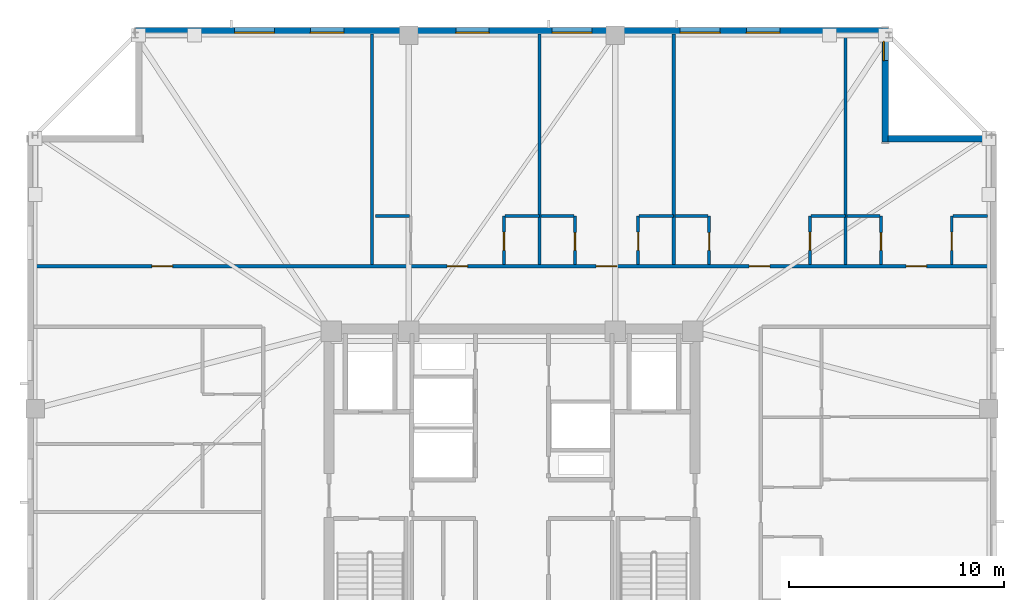
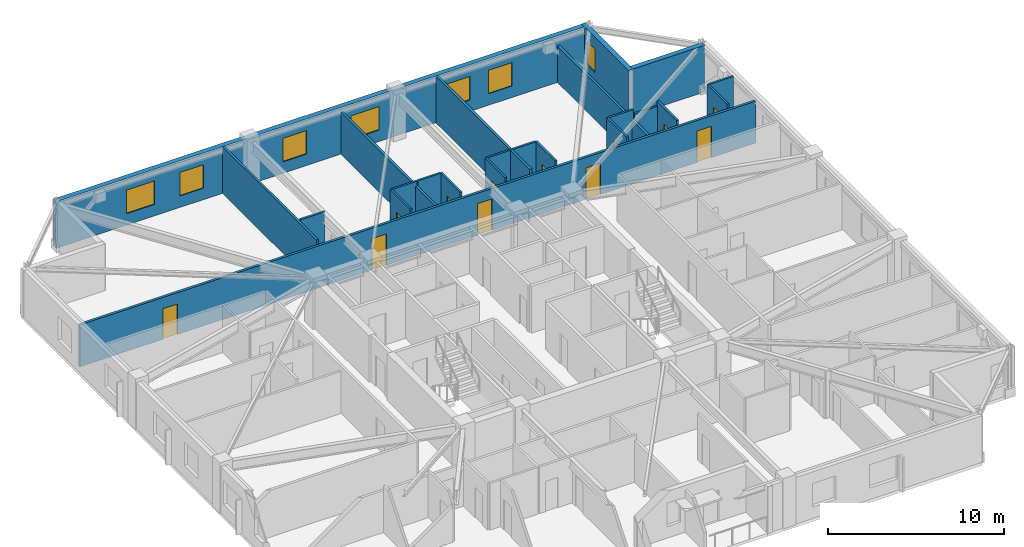
# One storey, part 11 of 17: 23 walls, 12 doors, 7 windows, 19 openings.
"""IFC4 building model written with IfcOpenShell, lengths in metres."""

from ifc_helpers import new_model, si_unit, direction, frame, frame_2d, origin, place, context, subcontext, project, spatial, rectangle, extrude, material, layer, layer_set, type_object, element, fill, save


model = new_model("IFC4")

# Units and contexts
model_context = context("Model", 3, precision=1e-05, world=origin(), true_north=direction((0.0, 1.0)))
body_context = subcontext(model_context, "Body", "Model", "MODEL_VIEW")
ifc_project = project(units=[si_unit("LENGTHUNIT", "METRE"), si_unit("AREAUNIT", "SQUARE_METRE"), si_unit("VOLUMEUNIT", "CUBIC_METRE"), si_unit("PLANEANGLEUNIT", "RADIAN"), si_unit("MASSUNIT", "GRAM", prefix="KILO")], contexts=[model_context])

# Site, building, storey
site_placement = place(None, origin())
site = spatial("IfcSite", under=ifc_project, at=site_placement, CompositionType="ELEMENT")
building_placement = place(site_placement, origin())
building = spatial("IfcBuilding", under=site, at=building_placement, Name="Cairnveth Concourse Tower", CompositionType="ELEMENT")
storey_placement = place(building_placement, frame((0.0, 0.0, 272.5)))
storey = spatial("IfcBuildingStorey", under=building, at=storey_placement, Name="L75", CompositionType="ELEMENT", Elevation=272.5)

# Wall, openings, doors
ifc_material_1 = material(Name="Gypsum Plasterboard Partition", Category="gypsum")
ifc_layer_1 = layer(ifc_material_1, 0.159912109375)
ifc_layer_set_1 = layer_set([ifc_layer_1], Name="Gypsum Plasterboard Partition")
wall_type_1 = type_object("IfcWallType", Name="ACOUSTIC PARTY WALL 180", PredefinedType="PARTITIONING", material=ifc_layer_set_1)
wall_1_placement = place(storey_placement, frame((29.804931640625, 50.422607421875, 0.0), z_axis=(0.0, 0.0, 1.0), x_axis=(1.0, 0.0, 0.0)))
wall_1 = element("IfcWall", 1, at=wall_1_placement, inside=storey, type_object=wall_type_1, Name="Interior Wall IW-L75-036", PredefinedType="PARTITIONING", context=body_context, shape_type="SweptSolid", body=[
    extrude(rectangle(XDim=44.39013671875, YDim=0.159912109375, at=frame_2d((22.195068359375, 0.0))), origin(), (0.0, 0.0, 1.0), 2.907958984375),
])
opening_1_placement = place(wall_1_placement, frame((5.465087890625, 0.0, 0.0)))
opening_1 = element("IfcOpeningElement", 2, at=opening_1_placement, cuts=wall_1, Name="Opening ID11", PredefinedType="OPENING", context=body_context, shape_type="SweptSolid", body=[
    extrude(rectangle(XDim=0.9599609375, YDim=2.1201171875, at=frame_2d((0.47998046875, 1.06005859375))), frame((0.0, 0.08984375, 0.0), z_axis=(0.0, -1.0, 0.0), x_axis=(1.0, 0.0, 0.0)), (0.0, 0.0, 1.0), 0.179931640625),
])
opening_2_placement = place(wall_1_placement, frame((19.1787109375, 0.0, 0.0)))
opening_2 = element("IfcOpeningElement", 3, at=opening_2_placement, cuts=wall_1, Name="Opening ID10", PredefinedType="OPENING", context=body_context, shape_type="SweptSolid", body=[
    extrude(rectangle(XDim=0.9599609375, YDim=2.179931640625, at=frame_2d((0.47998046875, 1.08984375))), frame((0.0, 0.08984375, 0.0), z_axis=(0.0, -1.0, 0.0), x_axis=(1.0, 0.0, 0.0)), (0.0, 0.0, 1.0), 0.179931640625),
])
opening_3_placement = place(wall_1_placement, frame((26.106201171875, 0.0, 0.0)))
opening_3 = element("IfcOpeningElement", 4, at=opening_3_placement, cuts=wall_1, Name="Opening ID10", PredefinedType="OPENING", context=body_context, shape_type="SweptSolid", body=[
    extrude(rectangle(XDim=0.9599609375, YDim=2.179931640625, at=frame_2d((0.47998046875, 1.08984375))), frame((0.0, 0.08984375, 0.0), z_axis=(0.0, -1.0, 0.0), x_axis=(1.0, 0.0, 0.0)), (0.0, 0.0, 1.0), 0.179931640625),
])
opening_4_placement = place(wall_1_placement, frame((33.2138671875, 0.0, 0.0)))
opening_4 = element("IfcOpeningElement", 5, at=opening_4_placement, cuts=wall_1, Name="Opening ID10", PredefinedType="OPENING", context=body_context, shape_type="SweptSolid", body=[
    extrude(rectangle(XDim=0.9599609375, YDim=2.179931640625, at=frame_2d((0.47998046875, 1.08984375))), frame((0.0, 0.08984375, 0.0), z_axis=(0.0, -1.0, 0.0), x_axis=(1.0, 0.0, 0.0)), (0.0, 0.0, 1.0), 0.179931640625),
])
opening_5_placement = place(wall_1_placement, frame((40.501220703125, 0.0, 0.0)))
opening_5 = element("IfcOpeningElement", 6, at=opening_5_placement, cuts=wall_1, Name="Opening ID10", PredefinedType="OPENING", context=body_context, shape_type="SweptSolid", body=[
    extrude(rectangle(XDim=0.9599609375, YDim=2.179931640625, at=frame_2d((0.47998046875, 1.08984375))), frame((0.0, 0.08984375, 0.0), z_axis=(0.0, -1.0, 0.0), x_axis=(1.0, 0.0, 0.0)), (0.0, 0.0, 1.0), 0.179931640625),
])
ifc_material_2 = material(Name="Solid Core Hardwood Timber Leaf", Category="wood")
door_type_1 = type_object("IfcDoorType", Name="FLAT ENTRANCE DOOR 960X2150", OperationType="NOTDEFINED", PredefinedType="DOOR", material=ifc_material_2)
door_1_placement = place(opening_2_placement, origin())
door_1 = element("IfcDoor", 7, at=door_1_placement, inside=storey, type_object=door_type_1, Name="Studio L75STN1 Entrance Door", OperationType="SINGLE_SWING_RIGHT", OverallHeight=2.179931640625, OverallWidth=0.9599609375, PredefinedType="DOOR", context=body_context, shape_type="SweptSolid", body=[
    extrude(rectangle(XDim=0.9599609375, YDim=2.179931640625, at=frame_2d((0.47998046875, 1.08984375))), frame((0.0, 0.02490234375, 0.0), z_axis=(0.0, -1.0, 0.0), x_axis=(1.0, 0.0, 0.0)), (0.0, 0.0, 1.0), 0.050048828125),
])
fill(opening_2, door_1)
door_2_placement = place(opening_3_placement, origin())
door_2 = element("IfcDoor", 8, at=door_2_placement, inside=storey, type_object=door_type_1, Name="Studio L75STN2 Entrance Door", OperationType="SINGLE_SWING_LEFT", OverallHeight=2.179931640625, OverallWidth=0.9599609375, PredefinedType="DOOR", context=body_context, shape_type="SweptSolid", body=[
    extrude(rectangle(XDim=0.9599609375, YDim=2.179931640625, at=frame_2d((0.47998046875, 1.08984375))), frame((0.0, 0.02490234375, 0.0), z_axis=(0.0, -1.0, 0.0), x_axis=(1.0, 0.0, 0.0)), (0.0, 0.0, 1.0), 0.050048828125),
])
fill(opening_3, door_2)
door_3_placement = place(opening_4_placement, origin())
door_3 = element("IfcDoor", 9, at=door_3_placement, inside=storey, type_object=door_type_1, Name="Studio L75STN3 Entrance Door", OperationType="SINGLE_SWING_RIGHT", OverallHeight=2.179931640625, OverallWidth=0.9599609375, PredefinedType="DOOR", context=body_context, shape_type="SweptSolid", body=[
    extrude(rectangle(XDim=0.9599609375, YDim=2.179931640625, at=frame_2d((0.47998046875, 1.08984375))), frame((0.0, 0.02490234375, 0.0), z_axis=(0.0, -1.0, 0.0), x_axis=(1.0, 0.0, 0.0)), (0.0, 0.0, 1.0), 0.050048828125),
])
fill(opening_4, door_3)
door_4_placement = place(opening_5_placement, origin())
door_4 = element("IfcDoor", 10, at=door_4_placement, inside=storey, type_object=door_type_1, Name="Studio L75STN4 Entrance Door", OperationType="SINGLE_SWING_LEFT", OverallHeight=2.179931640625, OverallWidth=0.9599609375, PredefinedType="DOOR", context=body_context, shape_type="SweptSolid", body=[
    extrude(rectangle(XDim=0.9599609375, YDim=2.179931640625, at=frame_2d((0.47998046875, 1.08984375))), frame((0.0, 0.02490234375, 0.0), z_axis=(0.0, -1.0, 0.0), x_axis=(1.0, 0.0, 0.0)), (0.0, 0.0, 1.0), 0.050048828125),
])
fill(opening_5, door_4)
door_type_2 = type_object("IfcDoorType", Name="INTERIOR SINGLE DOOR 960X2150", OperationType="NOTDEFINED", PredefinedType="DOOR", material=ifc_material_2)
door_5_placement = place(opening_1_placement, origin())
door_5 = element("IfcDoor", 11, at=door_5_placement, inside=storey, type_object=door_type_2, Name="Interior Door DR-L75-031", OperationType="SINGLE_SWING_LEFT", OverallHeight=2.1201171875, OverallWidth=0.9599609375, PredefinedType="DOOR", context=body_context, shape_type="SweptSolid", body=[
    extrude(rectangle(XDim=0.9599609375, YDim=2.1201171875, at=frame_2d((0.47998046875, 1.06005859375))), frame((0.0, 0.02490234375, 0.0), z_axis=(0.0, -1.0, 0.0), x_axis=(1.0, 0.0, 0.0)), (0.0, 0.0, 1.0), 0.050048828125),
])
fill(opening_1, door_5)

# Walls
wall_2_placement = place(storey_placement, frame((53.277587890625, 50.50244140625, 0.0), z_axis=(0.0, 0.0, 1.0), x_axis=(0.0, 1.0, 0.0)))
element("IfcWall", 12, at=wall_2_placement, inside=storey, type_object=wall_type_1, Name="Interior Wall IW-L75-070", PredefinedType="PARTITIONING", context=body_context, shape_type="SweptSolid", body=[
    extrude(rectangle(XDim=10.692626953125, YDim=0.159912109375, at=frame_2d((5.34619140625, 0.0))), origin(), (0.0, 0.0, 1.0), 2.907958984375),
])
wall_3_placement = place(storey_placement, frame((59.5048828125, 50.50244140625, 0.0), z_axis=(0.0, 0.0, 1.0), x_axis=(0.0, 1.0, 0.0)))
element("IfcWall", 13, at=wall_3_placement, inside=storey, type_object=wall_type_1, Name="Interior Wall IW-L75-075", PredefinedType="PARTITIONING", context=body_context, shape_type="SweptSolid", body=[
    extrude(rectangle(XDim=10.692626953125, YDim=0.159912109375, at=frame_2d((5.34619140625, 0.0))), origin(), (0.0, 0.0, 1.0), 3.239990234375),
])
wall_4_placement = place(storey_placement, frame((67.492431640625, 50.50244140625, 0.0), z_axis=(0.0, 0.0, 1.0), x_axis=(0.0, 1.0, 0.0)))
element("IfcWall", 14, at=wall_4_placement, inside=storey, type_object=wall_type_1, Name="Interior Wall IW-L75-080", PredefinedType="PARTITIONING", context=body_context, shape_type="SweptSolid", body=[
    extrude(rectangle(XDim=10.692626953125, YDim=0.159912109375, at=frame_2d((5.34619140625, 0.0))), origin(), (0.0, 0.0, 1.0), 2.52294921875),
])
ifc_layer_2 = layer(ifc_material_1, 0.139892578125)
ifc_layer_set_2 = layer_set([ifc_layer_2], Name="Gypsum Plasterboard Partition")
wall_type_2 = type_object("IfcWallType", Name="GYPSUM STUD PARTITION 140", PredefinedType="PARTITIONING", material=ifc_layer_set_2)
wall_5_placement = place(storey_placement, frame((45.5, 50.487548828125, 0.0), z_axis=(0.0, 0.0, 1.0), x_axis=(0.0, 1.0, 0.0)))
element("IfcWall", 15, at=wall_5_placement, inside=storey, type_object=wall_type_2, Name="Interior Wall IW-L75-065", PredefinedType="PARTITIONING", context=body_context, shape_type="SweptSolid", body=[
    extrude(rectangle(XDim=10.70751953125, YDim=0.139892578125, at=frame_2d((5.353759765625, 0.0))), origin(), (0.0, 0.0, 1.0), 3.239990234375),
])
ifc_layer_3 = layer(ifc_material_1, 0.1298828125)
ifc_layer_set_3 = layer_set([ifc_layer_3], Name="Gypsum Plasterboard Partition")
wall_type_3 = type_object("IfcWallType", Name="WET AREA PARTITION 140", PredefinedType="PLUMBINGWALL", material=ifc_layer_set_3)
wall_6_placement = place(storey_placement, frame((45.64990234375, 52.75244140625, 0.0), z_axis=(0.0, 0.0, 1.0), x_axis=(1.0, 0.0, 0.0)))
element("IfcWall", 16, at=wall_6_placement, inside=storey, type_object=wall_type_3, Name="Interior Wall IW-L75-067", PredefinedType="PLUMBINGWALL", context=body_context, shape_type="SweptSolid", body=[
    extrude(rectangle(XDim=1.60009765625, YDim=0.1298828125, at=frame_2d((0.800048828125, 0.0))), origin(), (0.0, 0.0, 1.0), 3.239990234375),
])

# Wall, opening, door
wall_7_placement = place(storey_placement, frame((51.62744140625, 50.50244140625, 0.0), z_axis=(0.0, 0.0, 1.0), x_axis=(0.0, 1.0, 0.0)))
wall_7 = element("IfcWall", 17, at=wall_7_placement, inside=storey, type_object=wall_type_3, Name="Interior Wall IW-L75-068", PredefinedType="PLUMBINGWALL", context=body_context, shape_type="SweptSolid", body=[
    extrude(rectangle(XDim=2.25, YDim=0.1298828125, at=frame_2d((1.125, 0.0))), origin(), (0.0, 0.0, 1.0), 3.239990234375),
])
opening_6_placement = place(wall_7_placement, frame((0.64990234375, 0.0, 0.0)))
opening_6 = element("IfcOpeningElement", 18, at=opening_6_placement, cuts=wall_7, Name="Opening ID20", PredefinedType="OPENING", context=body_context, shape_type="SweptSolid", body=[
    extrude(rectangle(XDim=0.85009765625, YDim=2.10009765625, at=frame_2d((0.425048828125, 1.050048828125))), frame((0.0, 0.074951171875, 0.0), z_axis=(0.0, -1.0, 0.0), x_axis=(1.0, 0.0, 0.0)), (0.0, 0.0, 1.0), 0.14990234375),
])
door_type_3 = type_object("IfcDoorType", Name="INTERIOR SINGLE DOOR 850X2100", OperationType="NOTDEFINED", PredefinedType="DOOR", material=ifc_material_2)
door_6_placement = place(opening_6_placement, origin())
door_6 = element("IfcDoor", 19, at=door_6_placement, inside=storey, type_object=door_type_3, Name="L75STN1 Kitchen Door", OperationType="SINGLE_SWING_LEFT", OverallHeight=2.10009765625, OverallWidth=0.85009765625, PredefinedType="DOOR", context=body_context, shape_type="SweptSolid", body=[
    extrude(rectangle(XDim=0.85009765625, YDim=2.10009765625, at=frame_2d((0.425048828125, 1.050048828125))), frame((0.0, 0.02490234375, 0.0), z_axis=(0.0, -1.0, 0.0), x_axis=(1.0, 0.0, 0.0)), (0.0, 0.0, 1.0), 0.050048828125),
])
fill(opening_6, door_6)

# Wall
wall_8_placement = place(storey_placement, frame((51.677490234375, 52.75244140625, 0.0), z_axis=(0.0, 0.0, 1.0), x_axis=(1.0, 0.0, 0.0)))
element("IfcWall", 20, at=wall_8_placement, inside=storey, type_object=wall_type_3, Name="Interior Wall IW-L75-069", PredefinedType="PLUMBINGWALL", context=body_context, shape_type="SweptSolid", body=[
    extrude(rectangle(XDim=1.60009765625, YDim=0.1298828125, at=frame_2d((0.800048828125, 0.0))), origin(), (0.0, 0.0, 1.0), 3.239990234375),
])

# Wall, opening, door
wall_9_placement = place(storey_placement, frame((54.927490234375, 50.50244140625, 0.0), z_axis=(0.0, 0.0, 1.0), x_axis=(0.0, 1.0, 0.0)))
wall_9 = element("IfcWall", 21, at=wall_9_placement, inside=storey, type_object=wall_type_3, Name="Interior Wall IW-L75-071", PredefinedType="PLUMBINGWALL", context=body_context, shape_type="SweptSolid", body=[
    extrude(rectangle(XDim=2.25, YDim=0.1298828125, at=frame_2d((1.125, 0.0))), origin(), (0.0, 0.0, 1.0), 3.239990234375),
])
opening_7_placement = place(wall_9_placement, frame((0.64990234375, 0.0, 0.0)))
opening_7 = element("IfcOpeningElement", 22, at=opening_7_placement, cuts=wall_9, Name="Opening ID22", PredefinedType="OPENING", context=body_context, shape_type="SweptSolid", body=[
    extrude(rectangle(XDim=0.820068359375, YDim=2.10009765625, at=frame_2d((0.41015625, 1.050048828125))), frame((0.0, 0.074951171875, 0.0), z_axis=(0.0, -1.0, 0.0), x_axis=(1.0, 0.0, 0.0)), (0.0, 0.0, 1.0), 0.14990234375),
])
door_type_4 = type_object("IfcDoorType", Name="INTERIOR WC DOOR 820X2100", OperationType="NOTDEFINED", PredefinedType="DOOR", material=ifc_material_2)
door_7_placement = place(opening_7_placement, origin())
door_7 = element("IfcDoor", 23, at=door_7_placement, inside=storey, type_object=door_type_4, Name="L75STN2 Bathroom Door", OperationType="SINGLE_SWING_LEFT", OverallHeight=2.10009765625, OverallWidth=0.820068359375, PredefinedType="DOOR", context=body_context, shape_type="SweptSolid", body=[
    extrude(rectangle(XDim=0.820068359375, YDim=2.10009765625, at=frame_2d((0.41015625, 1.050048828125))), frame((0.0, 0.02490234375, 0.0), z_axis=(0.0, -1.0, 0.0), x_axis=(1.0, 0.0, 0.0)), (0.0, 0.0, 1.0), 0.050048828125),
])
fill(opening_7, door_7)

# Wall
wall_10_placement = place(storey_placement, frame((53.342529296875, 52.75244140625, 0.0), z_axis=(0.0, 0.0, 1.0), x_axis=(1.0, 0.0, 0.0)))
element("IfcWall", 24, at=wall_10_placement, inside=storey, type_object=wall_type_3, Name="Interior Wall IW-L75-072", PredefinedType="PLUMBINGWALL", context=body_context, shape_type="SweptSolid", body=[
    extrude(rectangle(XDim=1.534912109375, YDim=0.1298828125, at=frame_2d((0.767578125, 0.0))), origin(), (0.0, 0.0, 1.0), 3.239990234375),
])

# Wall, opening, door
wall_11_placement = place(storey_placement, frame((57.85498046875, 50.50244140625, 0.0), z_axis=(0.0, 0.0, 1.0), x_axis=(0.0, 1.0, 0.0)))
wall_11 = element("IfcWall", 25, at=wall_11_placement, inside=storey, type_object=wall_type_3, Name="Interior Wall IW-L75-073", PredefinedType="PLUMBINGWALL", context=body_context, shape_type="SweptSolid", body=[
    extrude(rectangle(XDim=2.25, YDim=0.1298828125, at=frame_2d((1.125, 0.0))), origin(), (0.0, 0.0, 1.0), 3.239990234375),
])
opening_8_placement = place(wall_11_placement, frame((0.64990234375, 0.0, 0.0)))
opening_8 = element("IfcOpeningElement", 26, at=opening_8_placement, cuts=wall_11, Name="Opening ID20", PredefinedType="OPENING", context=body_context, shape_type="SweptSolid", body=[
    extrude(rectangle(XDim=0.85009765625, YDim=2.10009765625, at=frame_2d((0.425048828125, 1.050048828125))), frame((0.0, 0.074951171875, 0.0), z_axis=(0.0, -1.0, 0.0), x_axis=(1.0, 0.0, 0.0)), (0.0, 0.0, 1.0), 0.14990234375),
])
door_8_placement = place(opening_8_placement, origin())
door_8 = element("IfcDoor", 27, at=door_8_placement, inside=storey, type_object=door_type_3, Name="L75STN2 Kitchen Door", OperationType="SINGLE_SWING_RIGHT", OverallHeight=2.10009765625, OverallWidth=0.85009765625, PredefinedType="DOOR", context=body_context, shape_type="SweptSolid", body=[
    extrude(rectangle(XDim=0.85009765625, YDim=2.10009765625, at=frame_2d((0.425048828125, 1.050048828125))), frame((0.0, 0.02490234375, 0.0), z_axis=(0.0, -1.0, 0.0), x_axis=(1.0, 0.0, 0.0)), (0.0, 0.0, 1.0), 0.050048828125),
])
fill(opening_8, door_8)

# Wall
wall_12_placement = place(storey_placement, frame((57.905029296875, 52.75244140625, 0.0), z_axis=(0.0, 0.0, 1.0), x_axis=(1.0, 0.0, 0.0)))
element("IfcWall", 28, at=wall_12_placement, inside=storey, type_object=wall_type_3, Name="Interior Wall IW-L75-074", PredefinedType="PLUMBINGWALL", context=body_context, shape_type="SweptSolid", body=[
    extrude(rectangle(XDim=1.599853515625, YDim=0.1298828125, at=frame_2d((0.7998046875, 0.0))), origin(), (0.0, 0.0, 1.0), 3.239990234375),
])

# Wall, opening, door
wall_13_placement = place(storey_placement, frame((61.155029296875, 50.50244140625, 0.0), z_axis=(0.0, 0.0, 1.0), x_axis=(0.0, 1.0, 0.0)))
wall_13 = element("IfcWall", 29, at=wall_13_placement, inside=storey, type_object=wall_type_3, Name="Interior Wall IW-L75-076", PredefinedType="PLUMBINGWALL", context=body_context, shape_type="SweptSolid", body=[
    extrude(rectangle(XDim=2.25, YDim=0.1298828125, at=frame_2d((1.125, 0.0))), origin(), (0.0, 0.0, 1.0), 3.239990234375),
])
opening_9_placement = place(wall_13_placement, frame((0.64990234375, 0.0, 0.0)))
opening_9 = element("IfcOpeningElement", 30, at=opening_9_placement, cuts=wall_13, Name="Opening ID22", PredefinedType="OPENING", context=body_context, shape_type="SweptSolid", body=[
    extrude(rectangle(XDim=0.820068359375, YDim=2.10009765625, at=frame_2d((0.41015625, 1.050048828125))), frame((0.0, 0.074951171875, 0.0), z_axis=(0.0, -1.0, 0.0), x_axis=(1.0, 0.0, 0.0)), (0.0, 0.0, 1.0), 0.14990234375),
])
door_9_placement = place(opening_9_placement, origin())
door_9 = element("IfcDoor", 31, at=door_9_placement, inside=storey, type_object=door_type_4, Name="L75STN3 Bathroom Door", OperationType="SINGLE_SWING_RIGHT", OverallHeight=2.10009765625, OverallWidth=0.820068359375, PredefinedType="DOOR", context=body_context, shape_type="SweptSolid", body=[
    extrude(rectangle(XDim=0.820068359375, YDim=2.10009765625, at=frame_2d((0.41015625, 1.050048828125))), frame((0.0, 0.02490234375, 0.0), z_axis=(0.0, -1.0, 0.0), x_axis=(1.0, 0.0, 0.0)), (0.0, 0.0, 1.0), 0.050048828125),
])
fill(opening_9, door_9)

# Wall
wall_14_placement = place(storey_placement, frame((59.570068359375, 52.75244140625, 0.0), z_axis=(0.0, 0.0, 1.0), x_axis=(1.0, 0.0, 0.0)))
element("IfcWall", 32, at=wall_14_placement, inside=storey, type_object=wall_type_3, Name="Interior Wall IW-L75-077", PredefinedType="PLUMBINGWALL", context=body_context, shape_type="SweptSolid", body=[
    extrude(rectangle(XDim=1.534912109375, YDim=0.1298828125, at=frame_2d((0.767578125, 0.0))), origin(), (0.0, 0.0, 1.0), 3.239990234375),
])

# Wall, opening, door
wall_15_placement = place(storey_placement, frame((65.842529296875, 50.50244140625, 0.0), z_axis=(0.0, 0.0, 1.0), x_axis=(0.0, 1.0, 0.0)))
wall_15 = element("IfcWall", 33, at=wall_15_placement, inside=storey, type_object=wall_type_3, Name="Interior Wall IW-L75-078", PredefinedType="PLUMBINGWALL", context=body_context, shape_type="SweptSolid", body=[
    extrude(rectangle(XDim=2.25, YDim=0.1298828125, at=frame_2d((1.125, 0.0))), origin(), (0.0, 0.0, 1.0), 3.239990234375),
])
opening_10_placement = place(wall_15_placement, frame((0.64990234375, 0.0, 0.0)))
opening_10 = element("IfcOpeningElement", 34, at=opening_10_placement, cuts=wall_15, Name="Opening ID20", PredefinedType="OPENING", context=body_context, shape_type="SweptSolid", body=[
    extrude(rectangle(XDim=0.85009765625, YDim=2.10009765625, at=frame_2d((0.425048828125, 1.050048828125))), frame((0.0, 0.074951171875, 0.0), z_axis=(0.0, -1.0, 0.0), x_axis=(1.0, 0.0, 0.0)), (0.0, 0.0, 1.0), 0.14990234375),
])
door_10_placement = place(opening_10_placement, origin())
door_10 = element("IfcDoor", 35, at=door_10_placement, inside=storey, type_object=door_type_3, Name="L75STN3 Kitchen Door", OperationType="SINGLE_SWING_LEFT", OverallHeight=2.10009765625, OverallWidth=0.85009765625, PredefinedType="DOOR", context=body_context, shape_type="SweptSolid", body=[
    extrude(rectangle(XDim=0.85009765625, YDim=2.10009765625, at=frame_2d((0.425048828125, 1.050048828125))), frame((0.0, 0.02490234375, 0.0), z_axis=(0.0, -1.0, 0.0), x_axis=(1.0, 0.0, 0.0)), (0.0, 0.0, 1.0), 0.050048828125),
])
fill(opening_10, door_10)

# Wall
wall_16_placement = place(storey_placement, frame((65.892578125, 52.75244140625, 0.0), z_axis=(0.0, 0.0, 1.0), x_axis=(1.0, 0.0, 0.0)))
element("IfcWall", 36, at=wall_16_placement, inside=storey, type_object=wall_type_3, Name="Interior Wall IW-L75-079", PredefinedType="PLUMBINGWALL", context=body_context, shape_type="SweptSolid", body=[
    extrude(rectangle(XDim=1.599853515625, YDim=0.1298828125, at=frame_2d((0.7998046875, 0.0))), origin(), (0.0, 0.0, 1.0), 3.239990234375),
])

# Wall, opening, door
wall_17_placement = place(storey_placement, frame((69.142578125, 50.50244140625, 0.0), z_axis=(0.0, 0.0, 1.0), x_axis=(0.0, 1.0, 0.0)))
wall_17 = element("IfcWall", 37, at=wall_17_placement, inside=storey, type_object=wall_type_3, Name="Interior Wall IW-L75-081", PredefinedType="PLUMBINGWALL", context=body_context, shape_type="SweptSolid", body=[
    extrude(rectangle(XDim=2.25, YDim=0.1298828125, at=frame_2d((1.125, 0.0))), origin(), (0.0, 0.0, 1.0), 3.239990234375),
])
opening_11_placement = place(wall_17_placement, frame((0.64990234375, 0.0, 0.0)))
opening_11 = element("IfcOpeningElement", 38, at=opening_11_placement, cuts=wall_17, Name="Opening ID22", PredefinedType="OPENING", context=body_context, shape_type="SweptSolid", body=[
    extrude(rectangle(XDim=0.820068359375, YDim=2.10009765625, at=frame_2d((0.41015625, 1.050048828125))), frame((0.0, 0.074951171875, 0.0), z_axis=(0.0, -1.0, 0.0), x_axis=(1.0, 0.0, 0.0)), (0.0, 0.0, 1.0), 0.14990234375),
])
door_11_placement = place(opening_11_placement, origin())
door_11 = element("IfcDoor", 39, at=door_11_placement, inside=storey, type_object=door_type_4, Name="L75STN4 Bathroom Door", OperationType="SINGLE_SWING_LEFT", OverallHeight=2.10009765625, OverallWidth=0.820068359375, PredefinedType="DOOR", context=body_context, shape_type="SweptSolid", body=[
    extrude(rectangle(XDim=0.820068359375, YDim=2.10009765625, at=frame_2d((0.41015625, 1.050048828125))), frame((0.0, 0.02490234375, 0.0), z_axis=(0.0, -1.0, 0.0), x_axis=(1.0, 0.0, 0.0)), (0.0, 0.0, 1.0), 0.050048828125),
])
fill(opening_11, door_11)

# Wall
wall_18_placement = place(storey_placement, frame((67.5576171875, 52.75244140625, 0.0), z_axis=(0.0, 0.0, 1.0), x_axis=(1.0, 0.0, 0.0)))
element("IfcWall", 40, at=wall_18_placement, inside=storey, type_object=wall_type_3, Name="Interior Wall IW-L75-082", PredefinedType="PLUMBINGWALL", context=body_context, shape_type="SweptSolid", body=[
    extrude(rectangle(XDim=1.534912109375, YDim=0.1298828125, at=frame_2d((0.767578125, 0.0))), origin(), (0.0, 0.0, 1.0), 2.907958984375),
])

# Wall, opening, door
wall_19_placement = place(storey_placement, frame((72.429931640625, 50.50244140625, 0.0), z_axis=(0.0, 0.0, 1.0), x_axis=(0.0, 1.0, 0.0)))
wall_19 = element("IfcWall", 41, at=wall_19_placement, inside=storey, type_object=wall_type_3, Name="Interior Wall IW-L75-083", PredefinedType="PLUMBINGWALL", context=body_context, shape_type="SweptSolid", body=[
    extrude(rectangle(XDim=2.25, YDim=0.1298828125, at=frame_2d((1.125, 0.0))), origin(), (0.0, 0.0, 1.0), 3.239990234375),
])
opening_12_placement = place(wall_19_placement, frame((0.64990234375, 0.0, 0.0)))
opening_12 = element("IfcOpeningElement", 42, at=opening_12_placement, cuts=wall_19, Name="Opening ID20", PredefinedType="OPENING", context=body_context, shape_type="SweptSolid", body=[
    extrude(rectangle(XDim=0.85009765625, YDim=2.10009765625, at=frame_2d((0.425048828125, 1.050048828125))), frame((0.0, 0.074951171875, 0.0), z_axis=(0.0, -1.0, 0.0), x_axis=(1.0, 0.0, 0.0)), (0.0, 0.0, 1.0), 0.14990234375),
])
door_12_placement = place(opening_12_placement, origin())
door_12 = element("IfcDoor", 43, at=door_12_placement, inside=storey, type_object=door_type_3, Name="L75STN4 Kitchen Door", OperationType="SINGLE_SWING_RIGHT", OverallHeight=2.10009765625, OverallWidth=0.85009765625, PredefinedType="DOOR", context=body_context, shape_type="SweptSolid", body=[
    extrude(rectangle(XDim=0.85009765625, YDim=2.10009765625, at=frame_2d((0.425048828125, 1.050048828125))), frame((0.0, 0.02490234375, 0.0), z_axis=(0.0, -1.0, 0.0), x_axis=(1.0, 0.0, 0.0)), (0.0, 0.0, 1.0), 0.050048828125),
])
fill(opening_12, door_12)

# Wall
wall_20_placement = place(storey_placement, frame((72.47998046875, 52.75244140625, 0.0), z_axis=(0.0, 0.0, 1.0), x_axis=(1.0, 0.0, 0.0)))
element("IfcWall", 44, at=wall_20_placement, inside=storey, type_object=wall_type_3, Name="Interior Wall IW-L75-084", PredefinedType="PLUMBINGWALL", context=body_context, shape_type="SweptSolid", body=[
    extrude(rectangle(XDim=1.60009765625, YDim=0.1298828125, at=frame_2d((0.800048828125, 0.0))), origin(), (0.0, 0.0, 1.0), 3.239990234375),
])

# Wall, openings, windows
ifc_material_3 = material(Name="Melbourne Buff Fired Clay Brick Masonry", Category="masonry")
ifc_layer_4 = layer(ifc_material_3, 0.320068359375)
ifc_layer_set_4 = layer_set([ifc_layer_4], Name="Melbourne Buff Fired Clay Brick Masonry")
wall_type_4 = type_object("IfcWallType", Name="ZONE 3 BRICK PIER SPANDREL WALL 320", PredefinedType="SOLIDWALL", material=ifc_layer_set_4)
wall_21_placement = place(storey_placement, frame((34.5, 61.340087890625, 0.0), z_axis=(0.0, 0.0, 1.0), x_axis=(1.0, 0.0, 0.0)))
wall_21 = element("IfcWall", 45, at=wall_21_placement, inside=storey, type_object=wall_type_4, Name="Exterior Wall EW-L75-S06", PredefinedType="SOLIDWALL", context=body_context, shape_type="SweptSolid", body=[
    extrude(rectangle(XDim=34.701904296875, YDim=0.320068359375, at=frame_2d((17.35107421875, 0.0))), origin(), (0.0, 0.0, 1.0), 3.239990234375),
])
opening_13_placement = place(wall_21_placement, frame((4.612548828125, 0.0, 0.800048828125)))
opening_13 = element("IfcOpeningElement", 46, at=opening_13_placement, cuts=wall_21, Name="Opening W08", PredefinedType="OPENING", context=body_context, shape_type="SweptSolid", body=[
    extrude(rectangle(XDim=1.85009765625, YDim=1.6279296875, at=frame_2d((0.925048828125, 0.81396484375))), frame((0.0, 0.169921875, 0.0), z_axis=(0.0, -1.0, 0.0), x_axis=(1.0, 0.0, 0.0)), (0.0, 0.0, 1.0), 0.340087890625),
])
opening_14_placement = place(wall_21_placement, frame((8.137939453125, 0.0, 0.800048828125)))
opening_14 = element("IfcOpeningElement", 47, at=opening_14_placement, cuts=wall_21, Name="Opening W07", PredefinedType="OPENING", context=body_context, shape_type="SweptSolid", body=[
    extrude(rectangle(XDim=1.550048828125, YDim=1.6279296875, at=frame_2d((0.77490234375, 0.81396484375))), frame((0.0, 0.169921875, 0.0), z_axis=(0.0, -1.0, 0.0), x_axis=(1.0, 0.0, 0.0)), (0.0, 0.0, 1.0), 0.340087890625),
])
opening_15_placement = place(wall_21_placement, frame((14.888427734375, 0.0, 0.800048828125)))
opening_15 = element("IfcOpeningElement", 48, at=opening_15_placement, cuts=wall_21, Name="Opening W07", PredefinedType="OPENING", context=body_context, shape_type="SweptSolid", body=[
    extrude(rectangle(XDim=1.550048828125, YDim=1.6279296875, at=frame_2d((0.77490234375, 0.81396484375))), frame((0.0, 0.169921875, 0.0), z_axis=(0.0, -1.0, 0.0), x_axis=(1.0, 0.0, 0.0)), (0.0, 0.0, 1.0), 0.340087890625),
])
opening_16_placement = place(wall_21_placement, frame((19.363525390625, 0.0, 0.800048828125)))
opening_16 = element("IfcOpeningElement", 49, at=opening_16_placement, cuts=wall_21, Name="Opening W08", PredefinedType="OPENING", context=body_context, shape_type="SweptSolid", body=[
    extrude(rectangle(XDim=1.85009765625, YDim=1.6279296875, at=frame_2d((0.925048828125, 0.81396484375))), frame((0.0, 0.169921875, 0.0), z_axis=(0.0, -1.0, 0.0), x_axis=(1.0, 0.0, 0.0)), (0.0, 0.0, 1.0), 0.340087890625),
])
opening_17_placement = place(wall_21_placement, frame((25.314208984375, 0.0, 0.800048828125)))
opening_17 = element("IfcOpeningElement", 50, at=opening_17_placement, cuts=wall_21, Name="Opening W08", PredefinedType="OPENING", context=body_context, shape_type="SweptSolid", body=[
    extrude(rectangle(XDim=1.85009765625, YDim=1.6279296875, at=frame_2d((0.925048828125, 0.81396484375))), frame((0.0, 0.169921875, 0.0), z_axis=(0.0, -1.0, 0.0), x_axis=(1.0, 0.0, 0.0)), (0.0, 0.0, 1.0), 0.340087890625),
])
opening_18_placement = place(wall_21_placement, frame((28.389404296875, 0.0, 0.800048828125)))
opening_18 = element("IfcOpeningElement", 51, at=opening_18_placement, cuts=wall_21, Name="Opening W07", PredefinedType="OPENING", context=body_context, shape_type="SweptSolid", body=[
    extrude(rectangle(XDim=1.550048828125, YDim=1.6279296875, at=frame_2d((0.77490234375, 0.81396484375))), frame((0.0, 0.169921875, 0.0), z_axis=(0.0, -1.0, 0.0), x_axis=(1.0, 0.0, 0.0)), (0.0, 0.0, 1.0), 0.340087890625),
])
ifc_material_4 = material(Name="Double Glazed Low-E Clear Glass", Category="glass")
window_type_1 = type_object("IfcWindowType", Name="DEEP-SET APARTMENT LIVING WINDOW 1850X1850", PartitioningType="DOUBLE_PANEL_VERTICAL", PredefinedType="WINDOW", material=ifc_material_4)
window_1_placement = place(opening_13_placement, origin())
window_1 = element("IfcWindow", 52, at=window_1_placement, inside=storey, type_object=window_type_1, Name="Gothic Lancet Window L75-6-1", OverallHeight=1.6279296875, OverallWidth=1.85009765625, PartitioningType="SINGLE_PANEL", PredefinedType="WINDOW", context=body_context, shape_type="SweptSolid", body=[
    extrude(rectangle(XDim=1.85009765625, YDim=1.6279296875, at=frame_2d((0.925048828125, 0.81396484375))), frame((0.0, -0.050048828125, 0.0), z_axis=(0.0, -1.0, 0.0), x_axis=(1.0, 0.0, 0.0)), (0.0, 0.0, 1.0), 0.06005859375),
])
fill(opening_13, window_1)
window_2_placement = place(opening_16_placement, origin())
window_2 = element("IfcWindow", 53, at=window_2_placement, inside=storey, type_object=window_type_1, Name="Gothic Lancet Window L75-6-5", OverallHeight=1.6279296875, OverallWidth=1.85009765625, PartitioningType="SINGLE_PANEL", PredefinedType="WINDOW", context=body_context, shape_type="SweptSolid", body=[
    extrude(rectangle(XDim=1.85009765625, YDim=1.6279296875, at=frame_2d((0.925048828125, 0.81396484375))), frame((0.0, -0.050048828125, 0.0), z_axis=(0.0, -1.0, 0.0), x_axis=(1.0, 0.0, 0.0)), (0.0, 0.0, 1.0), 0.06005859375),
])
fill(opening_16, window_2)
window_3_placement = place(opening_17_placement, origin())
window_3 = element("IfcWindow", 54, at=window_3_placement, inside=storey, type_object=window_type_1, Name="Gothic Lancet Window L75-6-7", OverallHeight=1.6279296875, OverallWidth=1.85009765625, PartitioningType="SINGLE_PANEL", PredefinedType="WINDOW", context=body_context, shape_type="SweptSolid", body=[
    extrude(rectangle(XDim=1.85009765625, YDim=1.6279296875, at=frame_2d((0.925048828125, 0.81396484375))), frame((0.0, -0.050048828125, 0.0), z_axis=(0.0, -1.0, 0.0), x_axis=(1.0, 0.0, 0.0)), (0.0, 0.0, 1.0), 0.06005859375),
])
fill(opening_17, window_3)
window_type_2 = type_object("IfcWindowType", Name="DEEP-SET APARTMENT WINDOW 1550X1800", PartitioningType="DOUBLE_PANEL_VERTICAL", PredefinedType="WINDOW", material=ifc_material_4)
window_4_placement = place(opening_14_placement, origin())
window_4 = element("IfcWindow", 55, at=window_4_placement, inside=storey, type_object=window_type_2, Name="Gothic Lancet Window L75-6-2", OverallHeight=1.6279296875, OverallWidth=1.550048828125, PartitioningType="SINGLE_PANEL", PredefinedType="WINDOW", context=body_context, shape_type="SweptSolid", body=[
    extrude(rectangle(XDim=1.550048828125, YDim=1.6279296875, at=frame_2d((0.77490234375, 0.81396484375))), frame((0.0, -0.050048828125, 0.0), z_axis=(0.0, -1.0, 0.0), x_axis=(1.0, 0.0, 0.0)), (0.0, 0.0, 1.0), 0.06005859375),
])
fill(opening_14, window_4)
window_5_placement = place(opening_15_placement, origin())
window_5 = element("IfcWindow", 56, at=window_5_placement, inside=storey, type_object=window_type_2, Name="Gothic Lancet Window L75-6-4", OverallHeight=1.6279296875, OverallWidth=1.550048828125, PartitioningType="SINGLE_PANEL", PredefinedType="WINDOW", context=body_context, shape_type="SweptSolid", body=[
    extrude(rectangle(XDim=1.550048828125, YDim=1.6279296875, at=frame_2d((0.77490234375, 0.81396484375))), frame((0.0, -0.050048828125, 0.0), z_axis=(0.0, -1.0, 0.0), x_axis=(1.0, 0.0, 0.0)), (0.0, 0.0, 1.0), 0.06005859375),
])
fill(opening_15, window_5)
window_6_placement = place(opening_18_placement, origin())
window_6 = element("IfcWindow", 57, at=window_6_placement, inside=storey, type_object=window_type_2, Name="Gothic Lancet Window L75-6-8", OverallHeight=1.6279296875, OverallWidth=1.550048828125, PartitioningType="SINGLE_PANEL", PredefinedType="WINDOW", context=body_context, shape_type="SweptSolid", body=[
    extrude(rectangle(XDim=1.550048828125, YDim=1.6279296875, at=frame_2d((0.77490234375, 0.81396484375))), frame((0.0, -0.050048828125, 0.0), z_axis=(0.0, -1.0, 0.0), x_axis=(1.0, 0.0, 0.0)), (0.0, 0.0, 1.0), 0.06005859375),
])
fill(opening_18, window_6)

# Wall, opening, window
wall_22_placement = place(storey_placement, frame((69.340087890625, 61.5, 0.0), z_axis=(0.0, 0.0, 1.0), x_axis=(0.0, -1.0, 0.0)))
wall_22 = element("IfcWall", 58, at=wall_22_placement, inside=storey, type_object=wall_type_4, Name="Exterior Wall EW-L75-S07", PredefinedType="SOLIDWALL", context=body_context, shape_type="SweptSolid", body=[
    extrude(rectangle(XDim=5.320068359375, YDim=0.320068359375, at=frame_2d((2.66015625, 0.0))), origin(), (0.0, 0.0, 1.0), 3.239990234375),
])
opening_19_placement = place(wall_22_placement, frame((0.6298828125, 0.0, 0.800048828125)))
opening_19 = element("IfcOpeningElement", 59, at=opening_19_placement, cuts=wall_22, Name="Opening W13", PredefinedType="OPENING", context=body_context, shape_type="SweptSolid", body=[
    extrude(rectangle(XDim=0.89990234375, YDim=1.6279296875, at=frame_2d((0.449951171875, 0.81396484375))), frame((0.0, 0.169921875, 0.0), z_axis=(0.0, -1.0, 0.0), x_axis=(1.0, 0.0, 0.0)), (0.0, 0.0, 1.0), 0.340087890625),
])
window_type_3 = type_object("IfcWindowType", Name="DEEP-SET BEDROOM LANCET WINDOW 900X1750", PartitioningType="DOUBLE_PANEL_VERTICAL", PredefinedType="WINDOW", material=ifc_material_4)
window_7_placement = place(opening_19_placement, origin())
window_7 = element("IfcWindow", 60, at=window_7_placement, inside=storey, type_object=window_type_3, Name="Dwelling Lancet Window L75-DW4", OverallHeight=1.6279296875, OverallWidth=0.89990234375, PartitioningType="SINGLE_PANEL", PredefinedType="WINDOW", context=body_context, shape_type="SweptSolid", body=[
    extrude(rectangle(XDim=0.89990234375, YDim=1.6279296875, at=frame_2d((0.449951171875, 0.81396484375))), frame((0.0, -0.0400390625, 0.0), z_axis=(0.0, -1.0, 0.0), x_axis=(1.0, 0.0, 0.0)), (0.0, 0.0, 1.0), 0.06005859375),
])
fill(opening_19, window_7)

# Wall
wall_23_placement = place(storey_placement, frame((69.47802734375, 56.340087890625, 0.0), z_axis=(0.0, 0.0, 1.0), x_axis=(1.0, 0.0, 0.0)))
element("IfcWall", 61, at=wall_23_placement, inside=storey, type_object=wall_type_4, Name="Exterior Wall EW-L75-S08", PredefinedType="SOLIDWALL", context=body_context, shape_type="SweptSolid", body=[
    extrude(rectangle(XDim=4.723876953125, YDim=0.320068359375, at=frame_2d((2.36181640625, 0.0))), origin(), (0.0, 0.0, 1.0), 3.239990234375),
])

save(model, "model.ifc")
